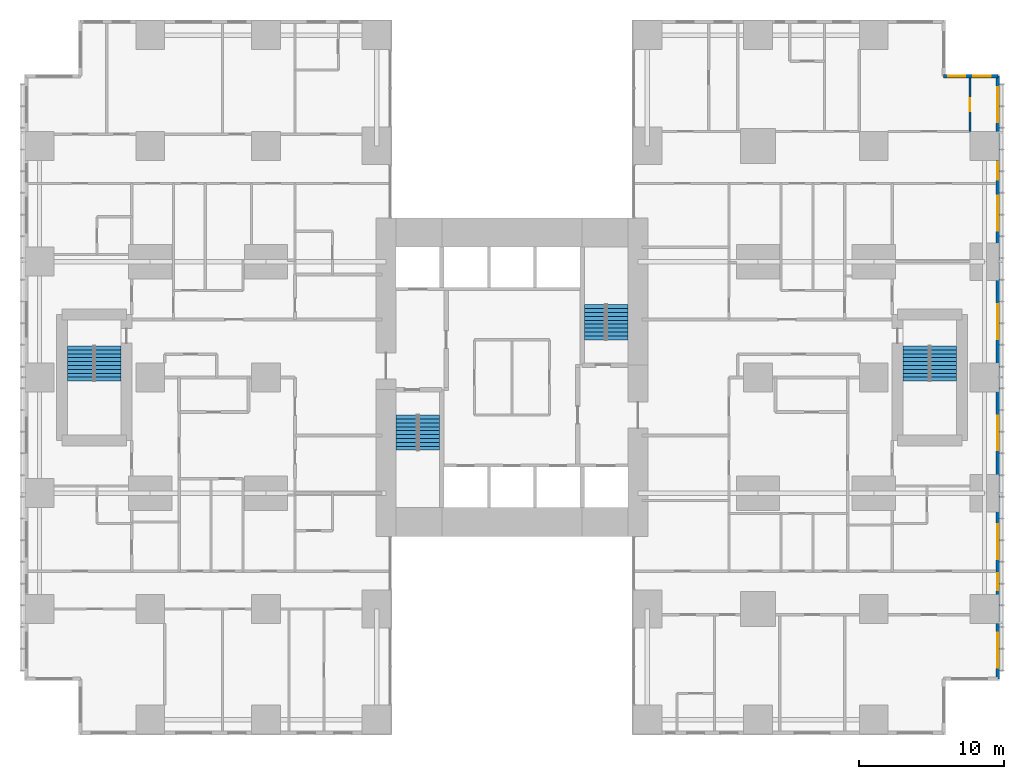
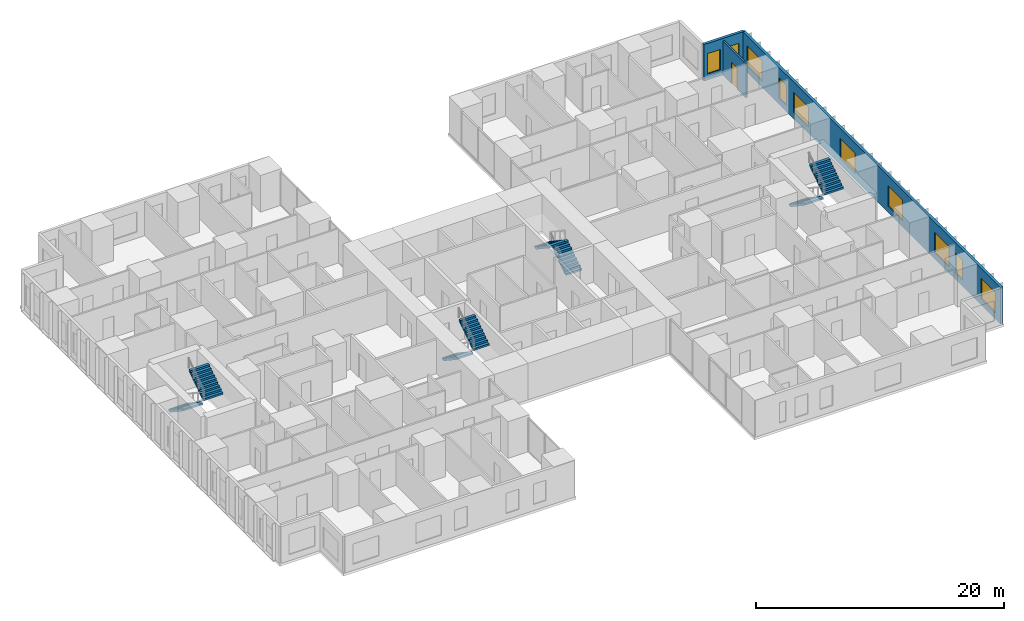
# One storey, part 19 of 20: 10 windows, 8 stair flights, 3 walls, 1 door, 11 openings, 4 elements without a shape of their own.
"""IFC4 building model written with IfcOpenShell, lengths in metres."""

from ifc_helpers import new_model, si_unit, direction, frame, frame_2d, origin, place, context, subcontext, project, spatial, polyline, rectangle, outline, extrude, material, layer, layer_set, type_object, element, fill, aggregate, save


model = new_model("IFC4")

# Units and contexts
model_context = context("Model", 3, precision=1e-05, world=origin(), true_north=direction((0.0, 1.0)))
body_context = subcontext(model_context, "Body", "Model", "MODEL_VIEW")
ifc_project = project(units=[si_unit("LENGTHUNIT", "METRE"), si_unit("AREAUNIT", "SQUARE_METRE"), si_unit("VOLUMEUNIT", "CUBIC_METRE"), si_unit("PLANEANGLEUNIT", "RADIAN"), si_unit("MASSUNIT", "GRAM", prefix="KILO")], contexts=[model_context])

# Site, building, storey
site_placement = place(None, origin())
site = spatial("IfcSite", under=ifc_project, at=site_placement, CompositionType="ELEMENT")
building_placement = place(site_placement, origin())
building = spatial("IfcBuilding", under=site, at=building_placement, Name="Cleftline Residences", CompositionType="ELEMENT")
storey_placement = place(building_placement, frame((0.0, 0.0, 36.800048828125)))
storey = spatial("IfcBuildingStorey", under=building, at=storey_placement, Name="L08", CompositionType="ELEMENT", Elevation=36.800048828125)

# Wall, openings, windows
ifc_material_1 = material(Name="Rendered reinforced concrete blockwork", Category="masonry")
ifc_layer_1 = layer(ifc_material_1, 0.25)
ifc_layer_set_1 = layer_set([ifc_layer_1], Name="EXTERNAL WALL 250")
wall_type_1 = type_object("IfcWallType", Name="EXTERNAL WALL 250", PredefinedType="SOLIDWALL", material=ifc_layer_set_1)
wall_1_placement = place(storey_placement, frame((66.574951171875, 3.175048828125, 0.0), z_axis=(0.0, 0.0, 1.0), x_axis=(0.0, 1.0, 0.0)))
wall_1 = element("IfcWall", 1, at=wall_1_placement, inside=storey, type_object=wall_type_1, Name="External wall", PredefinedType="SOLIDWALL", context=body_context, shape_type="SweptSolid", body=[
    extrude(rectangle(XDim=41.64990234375, YDim=0.25, at=frame_2d((20.824951171875, 0.0))), origin(), (0.0, 0.0, 1.0), 3.599853515625),
])
opening_1_placement = place(wall_1_placement, frame((0.77490234375, 0.0, 0.60009765625)))
opening_1 = element("IfcOpeningElement", 2, at=opening_1_placement, cuts=wall_1, Name="Opening W6", PredefinedType="OPENING", context=body_context, shape_type="SweptSolid", body=[
    extrude(rectangle(XDim=2.39990234375, YDim=2.0, at=frame_2d((1.199951171875, 1.0))), frame((0.0, 0.135009765625, 0.0), z_axis=(0.0, -1.0, 0.0), x_axis=(1.0, 0.0, 0.0)), (0.0, 0.0, 1.0), 0.27001953125),
])
opening_2_placement = place(wall_1_placement, frame((6.10009765625, 0.0, 0.60009765625)))
opening_2 = element("IfcOpeningElement", 3, at=opening_2_placement, cuts=wall_1, Name="Opening W8", PredefinedType="OPENING", context=body_context, shape_type="SweptSolid", body=[
    extrude(rectangle(XDim=1.199951171875, YDim=2.0, at=frame_2d((0.60009765625, 1.0))), frame((0.0, 0.135009765625, 0.0), z_axis=(0.0, -1.0, 0.0), x_axis=(1.0, 0.0, 0.0)), (0.0, 0.0, 1.0), 0.27001953125),
])
opening_3_placement = place(wall_1_placement, frame((8.27490234375, 0.0, 0.60009765625)))
opening_3 = element("IfcOpeningElement", 4, at=opening_3_placement, cuts=wall_1, Name="Opening W6", PredefinedType="OPENING", context=body_context, shape_type="SweptSolid", body=[
    extrude(rectangle(XDim=2.39990234375, YDim=2.0, at=frame_2d((1.199951171875, 1.0))), frame((0.0, 0.135009765625, 0.0), z_axis=(0.0, -1.0, 0.0), x_axis=(1.0, 0.0, 0.0)), (0.0, 0.0, 1.0), 0.27001953125),
])
opening_4_placement = place(wall_1_placement, frame((15.77490234375, 0.0, 0.60009765625)))
opening_4 = element("IfcOpeningElement", 5, at=opening_4_placement, cuts=wall_1, Name="Opening W6", PredefinedType="OPENING", context=body_context, shape_type="SweptSolid", body=[
    extrude(rectangle(XDim=2.39990234375, YDim=2.0, at=frame_2d((1.199951171875, 1.0))), frame((0.0, 0.135009765625, 0.0), z_axis=(0.0, -1.0, 0.0), x_axis=(1.0, 0.0, 0.0)), (0.0, 0.0, 1.0), 0.27001953125),
])
opening_5_placement = place(wall_1_placement, frame((23.47509765625, 0.0, 0.60009765625)))
opening_5 = element("IfcOpeningElement", 6, at=opening_5_placement, cuts=wall_1, Name="Opening W6", PredefinedType="OPENING", context=body_context, shape_type="SweptSolid", body=[
    extrude(rectangle(XDim=2.39990234375, YDim=2.0, at=frame_2d((1.199951171875, 1.0))), frame((0.0, 0.135009765625, 0.0), z_axis=(0.0, -1.0, 0.0), x_axis=(1.0, 0.0, 0.0)), (0.0, 0.0, 1.0), 0.27001953125),
])
opening_6_placement = place(wall_1_placement, frame((30.97509765625, 0.0, 0.60009765625)))
opening_6 = element("IfcOpeningElement", 7, at=opening_6_placement, cuts=wall_1, Name="Opening W6", PredefinedType="OPENING", context=body_context, shape_type="SweptSolid", body=[
    extrude(rectangle(XDim=2.39990234375, YDim=2.0, at=frame_2d((1.199951171875, 1.0))), frame((0.0, 0.135009765625, 0.0), z_axis=(0.0, -1.0, 0.0), x_axis=(1.0, 0.0, 0.0)), (0.0, 0.0, 1.0), 0.27001953125),
])
opening_7_placement = place(wall_1_placement, frame((34.5, 0.0, 0.60009765625)))
opening_7 = element("IfcOpeningElement", 8, at=opening_7_placement, cuts=wall_1, Name="Opening W8", PredefinedType="OPENING", context=body_context, shape_type="SweptSolid", body=[
    extrude(rectangle(XDim=1.199951171875, YDim=2.0, at=frame_2d((0.60009765625, 1.0))), frame((0.0, 0.135009765625, 0.0), z_axis=(0.0, -1.0, 0.0), x_axis=(1.0, 0.0, 0.0)), (0.0, 0.0, 1.0), 0.27001953125),
])
opening_8_placement = place(wall_1_placement, frame((38.47509765625, 0.0, 0.60009765625)))
opening_8 = element("IfcOpeningElement", 9, at=opening_8_placement, cuts=wall_1, Name="Opening W6", PredefinedType="OPENING", context=body_context, shape_type="SweptSolid", body=[
    extrude(rectangle(XDim=2.39990234375, YDim=2.0, at=frame_2d((1.199951171875, 1.0))), frame((0.0, 0.135009765625, 0.0), z_axis=(0.0, -1.0, 0.0), x_axis=(1.0, 0.0, 0.0)), (0.0, 0.0, 1.0), 0.27001953125),
])
ifc_material_2 = material(Name="Aluminium frame, clear double glazing", Category="aluminium")
window_type_1 = type_object("IfcWindowType", Name="WINDOW 1200X2000", PartitioningType="DOUBLE_PANEL_VERTICAL", PredefinedType="WINDOW", material=ifc_material_2)
window_1_placement = place(opening_2_placement, origin())
window_1 = element("IfcWindow", 10, at=window_1_placement, inside=storey, type_object=window_type_1, Name="Window", OverallHeight=2.0, OverallWidth=1.199951171875, PartitioningType="SINGLE_PANEL", PredefinedType="WINDOW", context=body_context, shape_type="SweptSolid", body=[
    extrude(rectangle(XDim=1.199951171875, YDim=2.0, at=frame_2d((0.60009765625, 1.0))), frame((0.0, 0.030029296875, 0.0), z_axis=(0.0, -1.0, 0.0), x_axis=(1.0, 0.0, 0.0)), (0.0, 0.0, 1.0), 0.06005859375),
])
fill(opening_2, window_1)
window_2_placement = place(opening_7_placement, origin())
window_2 = element("IfcWindow", 11, at=window_2_placement, inside=storey, type_object=window_type_1, Name="Window", OverallHeight=2.0, OverallWidth=1.199951171875, PartitioningType="SINGLE_PANEL", PredefinedType="WINDOW", context=body_context, shape_type="SweptSolid", body=[
    extrude(rectangle(XDim=1.199951171875, YDim=2.0, at=frame_2d((0.60009765625, 1.0))), frame((0.0, 0.030029296875, 0.0), z_axis=(0.0, -1.0, 0.0), x_axis=(1.0, 0.0, 0.0)), (0.0, 0.0, 1.0), 0.06005859375),
])
fill(opening_7, window_2)
ifc_material_3 = material(Name="Aluminium frame, clear double glazing", Category="aluminium")
window_type_2 = type_object("IfcWindowType", Name="WINDOW 2400X2000", PartitioningType="DOUBLE_PANEL_VERTICAL", PredefinedType="WINDOW", material=ifc_material_3)
window_3_placement = place(opening_1_placement, origin())
window_3 = element("IfcWindow", 12, at=window_3_placement, inside=storey, type_object=window_type_2, Name="Window", OverallHeight=2.0, OverallWidth=2.39990234375, PartitioningType="SINGLE_PANEL", PredefinedType="WINDOW", context=body_context, shape_type="SweptSolid", body=[
    extrude(rectangle(XDim=2.39990234375, YDim=2.0, at=frame_2d((1.199951171875, 1.0))), frame((0.0, 0.030029296875, 0.0), z_axis=(0.0, -1.0, 0.0), x_axis=(1.0, 0.0, 0.0)), (0.0, 0.0, 1.0), 0.06005859375),
])
fill(opening_1, window_3)
window_4_placement = place(opening_3_placement, origin())
window_4 = element("IfcWindow", 13, at=window_4_placement, inside=storey, type_object=window_type_2, Name="Window", OverallHeight=2.0, OverallWidth=2.39990234375, PartitioningType="SINGLE_PANEL", PredefinedType="WINDOW", context=body_context, shape_type="SweptSolid", body=[
    extrude(rectangle(XDim=2.39990234375, YDim=2.0, at=frame_2d((1.199951171875, 1.0))), frame((0.0, 0.030029296875, 0.0), z_axis=(0.0, -1.0, 0.0), x_axis=(1.0, 0.0, 0.0)), (0.0, 0.0, 1.0), 0.06005859375),
])
fill(opening_3, window_4)
window_5_placement = place(opening_4_placement, origin())
window_5 = element("IfcWindow", 14, at=window_5_placement, inside=storey, type_object=window_type_2, Name="Window", OverallHeight=2.0, OverallWidth=2.39990234375, PartitioningType="SINGLE_PANEL", PredefinedType="WINDOW", context=body_context, shape_type="SweptSolid", body=[
    extrude(rectangle(XDim=2.39990234375, YDim=2.0, at=frame_2d((1.199951171875, 1.0))), frame((0.0, 0.030029296875, 0.0), z_axis=(0.0, -1.0, 0.0), x_axis=(1.0, 0.0, 0.0)), (0.0, 0.0, 1.0), 0.06005859375),
])
fill(opening_4, window_5)
window_6_placement = place(opening_5_placement, origin())
window_6 = element("IfcWindow", 15, at=window_6_placement, inside=storey, type_object=window_type_2, Name="Window", OverallHeight=2.0, OverallWidth=2.39990234375, PartitioningType="SINGLE_PANEL", PredefinedType="WINDOW", context=body_context, shape_type="SweptSolid", body=[
    extrude(rectangle(XDim=2.39990234375, YDim=2.0, at=frame_2d((1.199951171875, 1.0))), frame((0.0, 0.030029296875, 0.0), z_axis=(0.0, -1.0, 0.0), x_axis=(1.0, 0.0, 0.0)), (0.0, 0.0, 1.0), 0.06005859375),
])
fill(opening_5, window_6)
window_7_placement = place(opening_6_placement, origin())
window_7 = element("IfcWindow", 16, at=window_7_placement, inside=storey, type_object=window_type_2, Name="Window", OverallHeight=2.0, OverallWidth=2.39990234375, PartitioningType="SINGLE_PANEL", PredefinedType="WINDOW", context=body_context, shape_type="SweptSolid", body=[
    extrude(rectangle(XDim=2.39990234375, YDim=2.0, at=frame_2d((1.199951171875, 1.0))), frame((0.0, 0.030029296875, 0.0), z_axis=(0.0, -1.0, 0.0), x_axis=(1.0, 0.0, 0.0)), (0.0, 0.0, 1.0), 0.06005859375),
])
fill(opening_6, window_7)
window_8_placement = place(opening_8_placement, origin())
window_8 = element("IfcWindow", 17, at=window_8_placement, inside=storey, type_object=window_type_2, Name="Window", OverallHeight=2.0, OverallWidth=2.39990234375, PartitioningType="SINGLE_PANEL", PredefinedType="WINDOW", context=body_context, shape_type="SweptSolid", body=[
    extrude(rectangle(XDim=2.39990234375, YDim=2.0, at=frame_2d((1.199951171875, 1.0))), frame((0.0, 0.030029296875, 0.0), z_axis=(0.0, -1.0, 0.0), x_axis=(1.0, 0.0, 0.0)), (0.0, 0.0, 1.0), 0.06005859375),
])
fill(opening_8, window_8)

wall_2_placement = place(storey_placement, frame((66.574951171875, 44.824951171875, 0.0), z_axis=(0.0, 0.0, 1.0), x_axis=(-1.0, 0.0, 0.0)))
wall_2 = element("IfcWall", 18, at=wall_2_placement, inside=storey, type_object=wall_type_1, Name="External wall", PredefinedType="SOLIDWALL", context=body_context, shape_type="SweptSolid", body=[
    extrude(rectangle(XDim=3.75, YDim=0.25, at=frame_2d((1.875, 0.0))), origin(), (0.0, 0.0, 1.0), 3.599853515625),
])
opening_9_placement = place(wall_2_placement, frame((0.5, 0.0, 0.60009765625)))
opening_9 = element("IfcOpeningElement", 19, at=opening_9_placement, cuts=wall_2, Name="Opening W8", PredefinedType="OPENING", context=body_context, shape_type="SweptSolid", body=[
    extrude(rectangle(XDim=1.199951171875, YDim=2.0, at=frame_2d((0.60009765625, 1.0))), frame((0.0, 0.135009765625, 0.0), z_axis=(0.0, -1.0, 0.0), x_axis=(1.0, 0.0, 0.0)), (0.0, 0.0, 1.0), 0.27001953125),
])
opening_10_placement = place(wall_2_placement, frame((2.237548828125, 0.0, 0.60009765625)))
opening_10 = element("IfcOpeningElement", 20, at=opening_10_placement, cuts=wall_2, Name="Opening W8", PredefinedType="OPENING", context=body_context, shape_type="SweptSolid", body=[
    extrude(rectangle(XDim=1.199951171875, YDim=2.0, at=frame_2d((0.60009765625, 1.0))), frame((0.0, 0.135009765625, 0.0), z_axis=(0.0, -1.0, 0.0), x_axis=(1.0, 0.0, 0.0)), (0.0, 0.0, 1.0), 0.27001953125),
])
window_9_placement = place(opening_9_placement, origin())
window_9 = element("IfcWindow", 21, at=window_9_placement, inside=storey, type_object=window_type_1, Name="Window", OverallHeight=2.0, OverallWidth=1.199951171875, PartitioningType="SINGLE_PANEL", PredefinedType="WINDOW", context=body_context, shape_type="SweptSolid", body=[
    extrude(rectangle(XDim=1.199951171875, YDim=2.0, at=frame_2d((0.60009765625, 1.0))), frame((0.0, 0.030029296875, 0.0), z_axis=(0.0, -1.0, 0.0), x_axis=(1.0, 0.0, 0.0)), (0.0, 0.0, 1.0), 0.06005859375),
])
fill(opening_9, window_9)
window_10_placement = place(opening_10_placement, origin())
window_10 = element("IfcWindow", 22, at=window_10_placement, inside=storey, type_object=window_type_1, Name="Window", OverallHeight=2.0, OverallWidth=1.199951171875, PartitioningType="SINGLE_PANEL", PredefinedType="WINDOW", context=body_context, shape_type="SweptSolid", body=[
    extrude(rectangle(XDim=1.199951171875, YDim=2.0, at=frame_2d((0.60009765625, 1.0))), frame((0.0, 0.030029296875, 0.0), z_axis=(0.0, -1.0, 0.0), x_axis=(1.0, 0.0, 0.0)), (0.0, 0.0, 1.0), 0.06005859375),
])
fill(opening_10, window_10)

# Wall, opening, door
ifc_material_4 = material(Name="Gypsum board on steel studs", Category="steel")
ifc_layer_2 = layer(ifc_material_4, 0.14990234375)
ifc_layer_set_2 = layer_set([ifc_layer_2], Name="PARTITION 150")
wall_type_2 = type_object("IfcWallType", Name="PARTITION 150", PredefinedType="PARTITIONING", material=ifc_layer_set_2)
wall_3_placement = place(storey_placement, frame((64.64990234375, 41.0, 0.0), z_axis=(0.0, 0.0, 1.0), x_axis=(0.0, 1.0, 0.0)))
wall_3 = element("IfcWall", 23, at=wall_3_placement, inside=storey, type_object=wall_type_2, Name="Partition", PredefinedType="PARTITIONING", context=body_context, shape_type="SweptSolid", body=[
    extrude(rectangle(XDim=3.699951171875, YDim=0.14990234375, at=frame_2d((1.85009765625, 0.0))), origin(), (0.0, 0.0, 1.0), 3.349853515625),
])
opening_11_placement = place(wall_3_placement, frame((1.39990234375, 0.0, 0.0)))
opening_11 = element("IfcOpeningElement", 24, at=opening_11_placement, cuts=wall_3, Name="Opening D1", PredefinedType="OPENING", context=body_context, shape_type="SweptSolid", body=[
    extrude(rectangle(XDim=0.89990234375, YDim=2.10009765625, at=frame_2d((0.449951171875, 1.050048828125))), frame((0.0, 0.0849609375, 0.0), z_axis=(0.0, -1.0, 0.0), x_axis=(1.0, 0.0, 0.0)), (0.0, 0.0, 1.0), 0.169921875),
])
ifc_material_5 = material(Name="Timber veneer on solid core", Category="wood")
door_type = type_object("IfcDoorType", Name="DOOR 900X2100", OperationType="SINGLE_SWING_LEFT", PredefinedType="DOOR", material=ifc_material_5)
door_placement = place(opening_11_placement, origin())
door = element("IfcDoor", 25, at=door_placement, inside=storey, type_object=door_type, Name="Door to walk-in wardrobe", OperationType="SINGLE_SWING_LEFT", OverallHeight=2.10009765625, OverallWidth=0.89990234375, PredefinedType="DOOR", context=body_context, shape_type="SweptSolid", body=[
    extrude(rectangle(XDim=0.89990234375, YDim=2.10009765625, at=frame_2d((0.449951171875, 1.050048828125))), frame((0.0, 0.02490234375, 0.0), z_axis=(0.0, -1.0, 0.0), x_axis=(1.0, 0.0, 0.0)), (0.0, 0.0, 1.0), 0.050048828125),
])
fill(opening_11, door)

# Stair, stair flights
ifc_material_6 = material(Name="Concrete B45, stone treads", Category="masonry")
stair_type_1 = type_object("IfcStairType", Name="STAIR A 1450 WIDE 180 RISER", PredefinedType="HALF_TURN_STAIR", material=ifc_material_6)
stair_1_placement = place(storey_placement, origin())
stair_1 = element("IfcStair", 26, at=stair_1_placement, inside=storey, type_object=stair_type_1, Name="Stair A L08", PredefinedType="HALF_TURN_STAIR")
ifc_material_7 = material(Name="Concrete B45", Category="concrete")
stair_flight_type_1 = type_object("IfcStairFlightType", Name="STAIR A FLIGHT 1450X180", PredefinedType="STRAIGHT", material=ifc_material_7)
stair_flight_1_placement = place(storey_placement, frame((25.72509765625, 21.39990234375, 0.0), z_axis=(0.0, 0.0, 1.0), x_axis=(0.0, -1.0, 0.0)))
stair_flight_1 = element("IfcStairFlight", 27, at=stair_flight_1_placement, type_object=stair_flight_type_1, Name="ST-A flight 1", NumberOfRisers=10, NumberOfTreads=9, PredefinedType="STRAIGHT", RiserHeight=0.18, TreadLength=0.27, context=body_context, shape_type="SweptSolid", body=[
    extrude(outline(polyline([(0.0, 0.0), (0.0, 0.013916015625), (0.0, 0.027587890625), (0.0, 0.04150390625), (0.0, 0.055419921875), (0.0, 0.0693359375), (0.0, 0.0830078125), (0.0, 0.096923828125), (0.0, 0.11083984375), (0.0, 0.12451171875), (0.0, 0.138427734375), (0.0, 0.15234375), (0.0, 0.166259765625), (0.0, 0.179931640625), (0.27001953125, 0.179931640625), (0.27001953125, 0.360107421875), (0.5400390625, 0.360107421875), (0.5400390625, 0.5400390625), (0.81005859375, 0.5400390625), (0.81005859375, 0.719970703125), (1.080078125, 0.719970703125), (1.080078125, 0.89990234375), (1.35009765625, 0.89990234375), (1.35009765625, 1.080078125), (1.6201171875, 1.080078125), (1.6201171875, 1.260009765625), (1.889892578125, 1.260009765625), (1.889892578125, 1.43994140625), (2.159912109375, 1.43994140625), (2.159912109375, 1.6201171875), (2.429931640625, 1.6201171875), (2.429931640625, 1.800048828125), (2.429931640625, 1.772216796875), (2.429931640625, 1.74462890625), (2.429931640625, 1.716796875), (2.429931640625, 1.689208984375), (2.429931640625, 1.661376953125), (2.429931640625, 1.6337890625), (2.429931640625, 1.60595703125), (2.429931640625, 1.578369140625), (2.429931640625, 1.550537109375), (2.429931640625, 1.52294921875), (2.429931640625, 1.495361328125), (2.429931640625, 1.467529296875), (2.429931640625, 1.43994140625), (0.270263671875, 0.0), (0.0, 0.0)])), frame((0.0, 0.72509765625, 0.0), z_axis=(0.0, -1.0, 0.0), x_axis=(1.0, 0.0, 0.0)), (0.0, 0.0, 1.0), 1.449951171875),
])
stair_flight_2_placement = place(storey_placement, frame((27.27490234375, 18.969970703125, 1.800048828125), z_axis=(0.0, 0.0, 1.0), x_axis=(0.0, 1.0, 0.0)))
stair_flight_2 = element("IfcStairFlight", 28, at=stair_flight_2_placement, type_object=stair_flight_type_1, Name="ST-A flight 2", NumberOfRisers=10, NumberOfTreads=9, PredefinedType="STRAIGHT", RiserHeight=0.18, TreadLength=0.27, context=body_context, shape_type="SweptSolid", body=[
    extrude(outline(polyline([(0.0, 0.0), (0.0, 0.013916015625), (0.0, 0.027587890625), (0.0, 0.04150390625), (0.0, 0.055419921875), (0.0, 0.0693359375), (0.0, 0.0830078125), (0.0, 0.096923828125), (0.0, 0.11083984375), (0.0, 0.12451171875), (0.0, 0.138427734375), (0.0, 0.15234375), (0.0, 0.166259765625), (0.0, 0.179931640625), (0.27001953125, 0.179931640625), (0.27001953125, 0.360107421875), (0.5400390625, 0.360107421875), (0.5400390625, 0.5400390625), (0.81005859375, 0.5400390625), (0.81005859375, 0.719970703125), (1.080078125, 0.719970703125), (1.080078125, 0.89990234375), (1.35009765625, 0.89990234375), (1.35009765625, 1.080078125), (1.6201171875, 1.080078125), (1.6201171875, 1.260009765625), (1.889892578125, 1.260009765625), (1.889892578125, 1.43994140625), (2.159912109375, 1.43994140625), (2.159912109375, 1.6201171875), (2.429931640625, 1.6201171875), (2.429931640625, 1.800048828125), (2.429931640625, 1.772216796875), (2.429931640625, 1.74462890625), (2.429931640625, 1.716796875), (2.429931640625, 1.689208984375), (2.429931640625, 1.661376953125), (2.429931640625, 1.6337890625), (2.429931640625, 1.60595703125), (2.429931640625, 1.578369140625), (2.429931640625, 1.550537109375), (2.429931640625, 1.52294921875), (2.429931640625, 1.495361328125), (2.429931640625, 1.467529296875), (2.429931640625, 1.43994140625), (0.270263671875, 0.0), (0.0, 0.0)])), frame((0.0, 0.72509765625, 0.0), z_axis=(0.0, -1.0, 0.0), x_axis=(1.0, 0.0, 0.0)), (0.0, 0.0, 1.0), 1.449951171875),
])
aggregate(stair_1, [stair_flight_1, stair_flight_2])

ifc_material_8 = material(Name="Concrete B45, stone treads", Category="masonry")
stair_type_2 = type_object("IfcStairType", Name="STAIR B 1450 WIDE 180 RISER", PredefinedType="HALF_TURN_STAIR", material=ifc_material_8)
stair_2_placement = place(storey_placement, origin())
stair_2 = element("IfcStair", 29, at=stair_2_placement, inside=storey, type_object=stair_type_2, Name="Stair B L08", PredefinedType="HALF_TURN_STAIR")
ifc_material_9 = material(Name="Concrete B45", Category="concrete")
stair_flight_type_2 = type_object("IfcStairFlightType", Name="STAIR B FLIGHT 1450X180", PredefinedType="STRAIGHT", material=ifc_material_9)
stair_flight_3_placement = place(storey_placement, frame((40.27490234375, 26.60009765625, 0.0), z_axis=(0.0, 0.0, 1.0), x_axis=(0.0, 1.0, 0.0)))
stair_flight_3 = element("IfcStairFlight", 30, at=stair_flight_3_placement, type_object=stair_flight_type_2, Name="ST-B flight 1", NumberOfRisers=10, NumberOfTreads=9, PredefinedType="STRAIGHT", RiserHeight=0.18, TreadLength=0.27, context=body_context, shape_type="SweptSolid", body=[
    extrude(outline(polyline([(0.0, 0.0), (0.0, 0.013916015625), (0.0, 0.027587890625), (0.0, 0.04150390625), (0.0, 0.055419921875), (0.0, 0.0693359375), (0.0, 0.0830078125), (0.0, 0.096923828125), (0.0, 0.11083984375), (0.0, 0.12451171875), (0.0, 0.138427734375), (0.0, 0.15234375), (0.0, 0.166259765625), (0.0, 0.179931640625), (0.27001953125, 0.179931640625), (0.27001953125, 0.360107421875), (0.5400390625, 0.360107421875), (0.5400390625, 0.5400390625), (0.81005859375, 0.5400390625), (0.81005859375, 0.719970703125), (1.080078125, 0.719970703125), (1.080078125, 0.89990234375), (1.35009765625, 0.89990234375), (1.35009765625, 1.080078125), (1.6201171875, 1.080078125), (1.6201171875, 1.260009765625), (1.889892578125, 1.260009765625), (1.889892578125, 1.43994140625), (2.159912109375, 1.43994140625), (2.159912109375, 1.6201171875), (2.429931640625, 1.6201171875), (2.429931640625, 1.800048828125), (2.429931640625, 1.772216796875), (2.429931640625, 1.74462890625), (2.429931640625, 1.716796875), (2.429931640625, 1.689208984375), (2.429931640625, 1.661376953125), (2.429931640625, 1.6337890625), (2.429931640625, 1.60595703125), (2.429931640625, 1.578369140625), (2.429931640625, 1.550537109375), (2.429931640625, 1.52294921875), (2.429931640625, 1.495361328125), (2.429931640625, 1.467529296875), (2.429931640625, 1.43994140625), (0.270263671875, 0.0), (0.0, 0.0)])), frame((0.0, 0.72509765625, 0.0), z_axis=(0.0, -1.0, 0.0), x_axis=(1.0, 0.0, 0.0)), (0.0, 0.0, 1.0), 1.449951171875),
])
stair_flight_4_placement = place(storey_placement, frame((38.72509765625, 29.030029296875, 1.800048828125), z_axis=(0.0, 0.0, 1.0), x_axis=(0.0, -1.0, 0.0)))
stair_flight_4 = element("IfcStairFlight", 31, at=stair_flight_4_placement, type_object=stair_flight_type_2, Name="ST-B flight 2", NumberOfRisers=10, NumberOfTreads=9, PredefinedType="STRAIGHT", RiserHeight=0.18, TreadLength=0.27, context=body_context, shape_type="SweptSolid", body=[
    extrude(outline(polyline([(0.0, 0.0), (0.0, 0.013916015625), (0.0, 0.027587890625), (0.0, 0.04150390625), (0.0, 0.055419921875), (0.0, 0.0693359375), (0.0, 0.0830078125), (0.0, 0.096923828125), (0.0, 0.11083984375), (0.0, 0.12451171875), (0.0, 0.138427734375), (0.0, 0.15234375), (0.0, 0.166259765625), (0.0, 0.179931640625), (0.27001953125, 0.179931640625), (0.27001953125, 0.360107421875), (0.5400390625, 0.360107421875), (0.5400390625, 0.5400390625), (0.81005859375, 0.5400390625), (0.81005859375, 0.719970703125), (1.080078125, 0.719970703125), (1.080078125, 0.89990234375), (1.35009765625, 0.89990234375), (1.35009765625, 1.080078125), (1.6201171875, 1.080078125), (1.6201171875, 1.260009765625), (1.889892578125, 1.260009765625), (1.889892578125, 1.43994140625), (2.159912109375, 1.43994140625), (2.159912109375, 1.6201171875), (2.429931640625, 1.6201171875), (2.429931640625, 1.800048828125), (2.429931640625, 1.772216796875), (2.429931640625, 1.74462890625), (2.429931640625, 1.716796875), (2.429931640625, 1.689208984375), (2.429931640625, 1.661376953125), (2.429931640625, 1.6337890625), (2.429931640625, 1.60595703125), (2.429931640625, 1.578369140625), (2.429931640625, 1.550537109375), (2.429931640625, 1.52294921875), (2.429931640625, 1.495361328125), (2.429931640625, 1.467529296875), (2.429931640625, 1.43994140625), (0.270263671875, 0.0), (0.0, 0.0)])), frame((0.0, 0.72509765625, 0.0), z_axis=(0.0, -1.0, 0.0), x_axis=(1.0, 0.0, 0.0)), (0.0, 0.0, 1.0), 1.449951171875),
])
aggregate(stair_2, [stair_flight_3, stair_flight_4])

ifc_material_10 = material(Name="Concrete B45, stone treads", Category="masonry")
stair_type_3 = type_object("IfcStairType", Name="STAIR E 1800 WIDE 180 RISER", PredefinedType="HALF_TURN_STAIR", material=ifc_material_10)
stair_3_placement = place(storey_placement, origin())
stair_3 = element("IfcStair", 32, at=stair_3_placement, inside=storey, type_object=stair_type_3, Name="Stair E L08", PredefinedType="HALF_TURN_STAIR")
ifc_material_11 = material(Name="Concrete B45", Category="concrete")
stair_flight_type_3 = type_object("IfcStairFlightType", Name="STAIR E FLIGHT 1800X180", PredefinedType="STRAIGHT", material=ifc_material_11)
stair_flight_5_placement = place(storey_placement, frame((60.925048828125, 26.175048828125, 0.0), z_axis=(0.0, 0.0, 1.0), x_axis=(0.0, -1.0, 0.0)))
stair_flight_5 = element("IfcStairFlight", 33, at=stair_flight_5_placement, type_object=stair_flight_type_3, Name="ST-E flight 1", NumberOfRisers=10, NumberOfTreads=9, PredefinedType="STRAIGHT", RiserHeight=0.18, TreadLength=0.27, context=body_context, shape_type="SweptSolid", body=[
    extrude(outline(polyline([(0.0, 0.0), (0.0, 0.013916015625), (0.0, 0.027587890625), (0.0, 0.04150390625), (0.0, 0.055419921875), (0.0, 0.0693359375), (0.0, 0.0830078125), (0.0, 0.096923828125), (0.0, 0.11083984375), (0.0, 0.12451171875), (0.0, 0.138427734375), (0.0, 0.15234375), (0.0, 0.166259765625), (0.0, 0.179931640625), (0.27001953125, 0.179931640625), (0.27001953125, 0.360107421875), (0.5400390625, 0.360107421875), (0.5400390625, 0.5400390625), (0.81005859375, 0.5400390625), (0.81005859375, 0.719970703125), (1.080078125, 0.719970703125), (1.080078125, 0.89990234375), (1.35009765625, 0.89990234375), (1.35009765625, 1.080078125), (1.6201171875, 1.080078125), (1.6201171875, 1.260009765625), (1.889892578125, 1.260009765625), (1.889892578125, 1.43994140625), (2.159912109375, 1.43994140625), (2.159912109375, 1.6201171875), (2.429931640625, 1.6201171875), (2.429931640625, 1.800048828125), (2.429931640625, 1.772216796875), (2.429931640625, 1.74462890625), (2.429931640625, 1.716796875), (2.429931640625, 1.689208984375), (2.429931640625, 1.661376953125), (2.429931640625, 1.6337890625), (2.429931640625, 1.60595703125), (2.429931640625, 1.578369140625), (2.429931640625, 1.550537109375), (2.429931640625, 1.52294921875), (2.429931640625, 1.495361328125), (2.429931640625, 1.467529296875), (2.429931640625, 1.43994140625), (0.270263671875, 0.0), (0.0, 0.0)])), frame((0.0, 0.89990234375, 0.0), z_axis=(0.0, -1.0, 0.0), x_axis=(1.0, 0.0, 0.0)), (0.0, 0.0, 1.0), 1.800048828125),
])
stair_flight_6_placement = place(storey_placement, frame((62.824951171875, 23.7451171875, 1.800048828125), z_axis=(0.0, 0.0, 1.0), x_axis=(0.0, 1.0, 0.0)))
stair_flight_6 = element("IfcStairFlight", 34, at=stair_flight_6_placement, type_object=stair_flight_type_3, Name="ST-E flight 2", NumberOfRisers=10, NumberOfTreads=9, PredefinedType="STRAIGHT", RiserHeight=0.18, TreadLength=0.27, context=body_context, shape_type="SweptSolid", body=[
    extrude(outline(polyline([(0.0, 0.0), (0.0, 0.013916015625), (0.0, 0.027587890625), (0.0, 0.04150390625), (0.0, 0.055419921875), (0.0, 0.0693359375), (0.0, 0.0830078125), (0.0, 0.096923828125), (0.0, 0.11083984375), (0.0, 0.12451171875), (0.0, 0.138427734375), (0.0, 0.15234375), (0.0, 0.166259765625), (0.0, 0.179931640625), (0.27001953125, 0.179931640625), (0.27001953125, 0.360107421875), (0.5400390625, 0.360107421875), (0.5400390625, 0.5400390625), (0.81005859375, 0.5400390625), (0.81005859375, 0.719970703125), (1.080078125, 0.719970703125), (1.080078125, 0.89990234375), (1.35009765625, 0.89990234375), (1.35009765625, 1.080078125), (1.6201171875, 1.080078125), (1.6201171875, 1.260009765625), (1.889892578125, 1.260009765625), (1.889892578125, 1.43994140625), (2.159912109375, 1.43994140625), (2.159912109375, 1.6201171875), (2.429931640625, 1.6201171875), (2.429931640625, 1.800048828125), (2.429931640625, 1.772216796875), (2.429931640625, 1.74462890625), (2.429931640625, 1.716796875), (2.429931640625, 1.689208984375), (2.429931640625, 1.661376953125), (2.429931640625, 1.6337890625), (2.429931640625, 1.60595703125), (2.429931640625, 1.578369140625), (2.429931640625, 1.550537109375), (2.429931640625, 1.52294921875), (2.429931640625, 1.495361328125), (2.429931640625, 1.467529296875), (2.429931640625, 1.43994140625), (0.270263671875, 0.0), (0.0, 0.0)])), frame((0.0, 0.89990234375, 0.0), z_axis=(0.0, -1.0, 0.0), x_axis=(1.0, 0.0, 0.0)), (0.0, 0.0, 1.0), 1.800048828125),
])
aggregate(stair_3, [stair_flight_5, stair_flight_6])

ifc_material_12 = material(Name="Concrete B45, stone treads", Category="masonry")
stair_type_4 = type_object("IfcStairType", Name="STAIR W 1800 WIDE 180 RISER", PredefinedType="HALF_TURN_STAIR", material=ifc_material_12)
stair_4_placement = place(storey_placement, origin())
stair_4 = element("IfcStair", 35, at=stair_4_placement, inside=storey, type_object=stair_type_4, Name="Stair W L08", PredefinedType="HALF_TURN_STAIR")
ifc_material_13 = material(Name="Concrete B45", Category="concrete")
stair_flight_type_4 = type_object("IfcStairFlightType", Name="STAIR W FLIGHT 1800X180", PredefinedType="STRAIGHT", material=ifc_material_13)
stair_flight_7_placement = place(storey_placement, frame((3.175048828125, 26.175048828125, 0.0), z_axis=(0.0, 0.0, 1.0), x_axis=(0.0, -1.0, 0.0)))
stair_flight_7 = element("IfcStairFlight", 36, at=stair_flight_7_placement, type_object=stair_flight_type_4, Name="ST-W flight 1", NumberOfRisers=10, NumberOfTreads=9, PredefinedType="STRAIGHT", RiserHeight=0.18, TreadLength=0.27, context=body_context, shape_type="SweptSolid", body=[
    extrude(outline(polyline([(0.0, 0.0), (0.0, 0.013916015625), (0.0, 0.027587890625), (0.0, 0.04150390625), (0.0, 0.055419921875), (0.0, 0.0693359375), (0.0, 0.0830078125), (0.0, 0.096923828125), (0.0, 0.11083984375), (0.0, 0.12451171875), (0.0, 0.138427734375), (0.0, 0.15234375), (0.0, 0.166259765625), (0.0, 0.179931640625), (0.27001953125, 0.179931640625), (0.27001953125, 0.360107421875), (0.5400390625, 0.360107421875), (0.5400390625, 0.5400390625), (0.81005859375, 0.5400390625), (0.81005859375, 0.719970703125), (1.080078125, 0.719970703125), (1.080078125, 0.89990234375), (1.35009765625, 0.89990234375), (1.35009765625, 1.080078125), (1.6201171875, 1.080078125), (1.6201171875, 1.260009765625), (1.889892578125, 1.260009765625), (1.889892578125, 1.43994140625), (2.159912109375, 1.43994140625), (2.159912109375, 1.6201171875), (2.429931640625, 1.6201171875), (2.429931640625, 1.800048828125), (2.429931640625, 1.772216796875), (2.429931640625, 1.74462890625), (2.429931640625, 1.716796875), (2.429931640625, 1.689208984375), (2.429931640625, 1.661376953125), (2.429931640625, 1.6337890625), (2.429931640625, 1.60595703125), (2.429931640625, 1.578369140625), (2.429931640625, 1.550537109375), (2.429931640625, 1.52294921875), (2.429931640625, 1.495361328125), (2.429931640625, 1.467529296875), (2.429931640625, 1.43994140625), (0.270263671875, 0.0), (0.0, 0.0)])), frame((0.0, 0.89990234375, 0.0), z_axis=(0.0, -1.0, 0.0), x_axis=(1.0, 0.0, 0.0)), (0.0, 0.0, 1.0), 1.800048828125),
])
stair_flight_8_placement = place(storey_placement, frame((5.074951171875, 23.7451171875, 1.800048828125), z_axis=(0.0, 0.0, 1.0), x_axis=(0.0, 1.0, 0.0)))
stair_flight_8 = element("IfcStairFlight", 37, at=stair_flight_8_placement, type_object=stair_flight_type_4, Name="ST-W flight 2", NumberOfRisers=10, NumberOfTreads=9, PredefinedType="STRAIGHT", RiserHeight=0.18, TreadLength=0.27, context=body_context, shape_type="SweptSolid", body=[
    extrude(outline(polyline([(0.0, 0.0), (0.0, 0.013916015625), (0.0, 0.027587890625), (0.0, 0.04150390625), (0.0, 0.055419921875), (0.0, 0.0693359375), (0.0, 0.0830078125), (0.0, 0.096923828125), (0.0, 0.11083984375), (0.0, 0.12451171875), (0.0, 0.138427734375), (0.0, 0.15234375), (0.0, 0.166259765625), (0.0, 0.179931640625), (0.27001953125, 0.179931640625), (0.27001953125, 0.360107421875), (0.5400390625, 0.360107421875), (0.5400390625, 0.5400390625), (0.81005859375, 0.5400390625), (0.81005859375, 0.719970703125), (1.080078125, 0.719970703125), (1.080078125, 0.89990234375), (1.35009765625, 0.89990234375), (1.35009765625, 1.080078125), (1.6201171875, 1.080078125), (1.6201171875, 1.260009765625), (1.889892578125, 1.260009765625), (1.889892578125, 1.43994140625), (2.159912109375, 1.43994140625), (2.159912109375, 1.6201171875), (2.429931640625, 1.6201171875), (2.429931640625, 1.800048828125), (2.429931640625, 1.772216796875), (2.429931640625, 1.74462890625), (2.429931640625, 1.716796875), (2.429931640625, 1.689208984375), (2.429931640625, 1.661376953125), (2.429931640625, 1.6337890625), (2.429931640625, 1.60595703125), (2.429931640625, 1.578369140625), (2.429931640625, 1.550537109375), (2.429931640625, 1.52294921875), (2.429931640625, 1.495361328125), (2.429931640625, 1.467529296875), (2.429931640625, 1.43994140625), (0.270263671875, 0.0), (0.0, 0.0)])), frame((0.0, 0.89990234375, 0.0), z_axis=(0.0, -1.0, 0.0), x_axis=(1.0, 0.0, 0.0)), (0.0, 0.0, 1.0), 1.800048828125),
])
aggregate(stair_4, [stair_flight_7, stair_flight_8])

save(model, "model.ifc")
